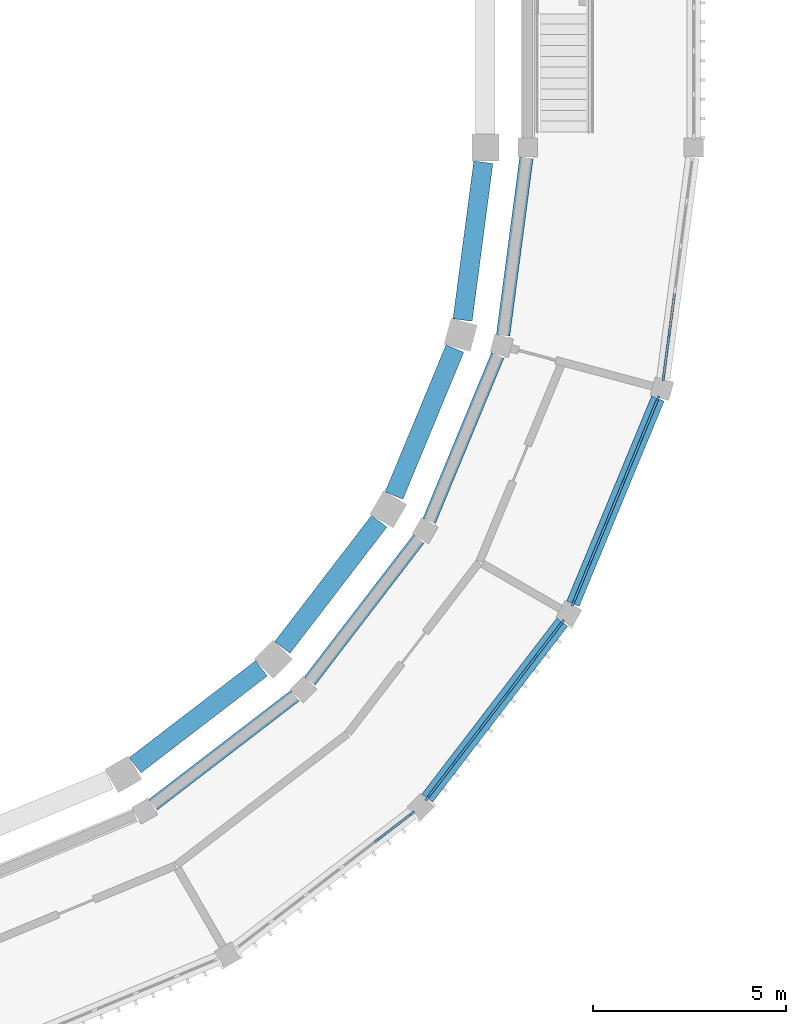
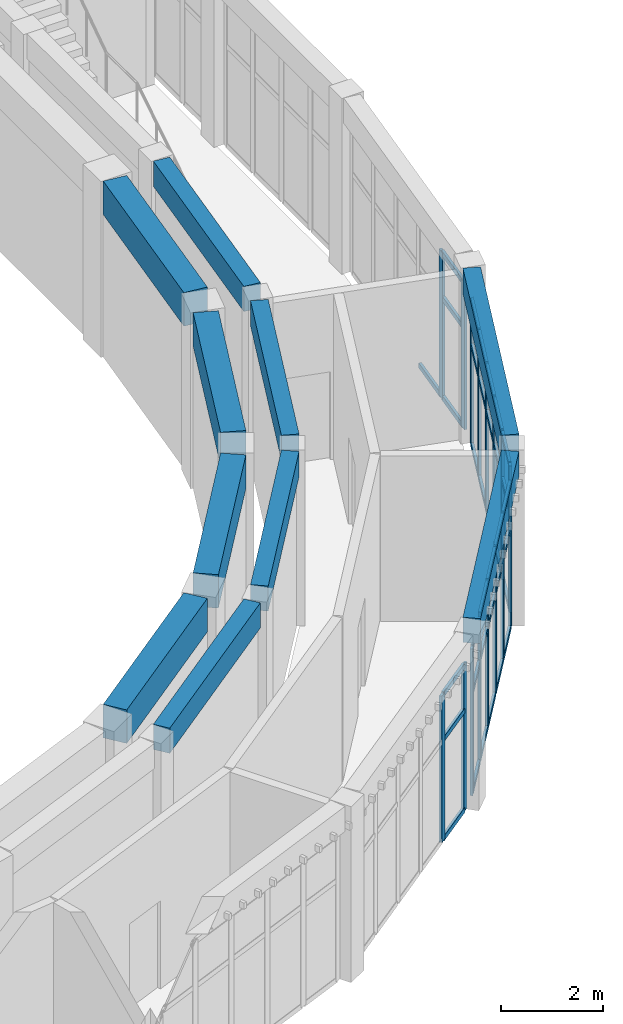
# One storey, part 8 of 99: 53 members, 10 beams, 4 elements without a shape of their own.
"""IFC4 building model written with IfcOpenShell, lengths in metres."""

from ifc_helpers import new_model, si_unit, direction, frame, origin, origin_2d, place, context, subcontext, project, spatial, rectangle, extrude, material, layer, layer_set, material_profile, profile_set, type_object, element, aggregate, save


model = new_model("IFC4")

# Units and contexts
model_context = context("Model", 3, precision=1e-05, world=origin(), true_north=direction((0.0, 1.0)))
body_context = subcontext(model_context, "Body", "Model", "MODEL_VIEW")
ifc_project = project(units=[si_unit("LENGTHUNIT", "METRE"), si_unit("AREAUNIT", "SQUARE_METRE"), si_unit("VOLUMEUNIT", "CUBIC_METRE"), si_unit("PLANEANGLEUNIT", "RADIAN"), si_unit("MASSUNIT", "GRAM", prefix="KILO")], contexts=[model_context])

# Site, building, storey
site_placement = place(None, origin())
site = spatial("IfcSite", under=ifc_project, at=site_placement, CompositionType="ELEMENT")
building_placement = place(site_placement, origin())
building = spatial("IfcBuilding", under=site, at=building_placement, Name="Wasatch Bagh Community Centre", CompositionType="ELEMENT")
storey_placement = place(building_placement, frame((0.0, 0.0, 4.199951171875)))
storey = spatial("IfcBuildingStorey", under=building, at=storey_placement, Name="L01", CompositionType="ELEMENT", Elevation=4.199951171875)

# Curtain wall, members
ifc_material_1 = material(Name="Aluminium curtain wall frame with low-iron insulated glass", Category="aluminium")
ifc_layer = layer(ifc_material_1, 0.14990234375)
ifc_layer_set = layer_set([ifc_layer], Name="Aluminium curtain wall frame with low-iron insulated glass")
curtain_wall_type = type_object("IfcCurtainWallType", Name="Drum curtain wall DR-CW2", PredefinedType="NOTDEFINED", material=ifc_layer_set)
curtain_wall_1_placement = place(storey_placement, origin())
curtain_wall_1 = element("IfcCurtainWall", 1, at=curtain_wall_1_placement, inside=storey, type_object=curtain_wall_type, Name="Curtain wall DR-CW2 9", PredefinedType="NOTDEFINED")
ifc_material_2 = material(Name="Aluminium curtain wall frame", Category="aluminium")
ifc_material_profile_1 = material_profile(ifc_material_2, rectangle(XDim=0.06005859375, YDim=0.159912109375, at=origin_2d()), Name="Drum mullion DR-CW2")
ifc_profile_set_1 = profile_set([ifc_material_profile_1], Name="Aluminium curtain wall frame")
member_type_1 = type_object("IfcMemberType", Name="Drum mullion DR-CW2", PredefinedType="MULLION", material=ifc_profile_set_1)
member_1_placement = place(storey_placement, frame((51.951416015625, 17.059814453125, 0.0), z_axis=(0.0, 0.0, 1.0), x_axis=(-0.608761429133, 0.793353340196, 0.0)))
member_1 = element("IfcMember", 2, at=member_1_placement, type_object=member_type_1, Name="DR-CW2 mullion 5", PredefinedType="MULLION", context=body_context, shape_type="SweptSolid", body=[
    extrude(rectangle(XDim=0.06005859375, YDim=0.159912109375, at=origin_2d()), origin(), (0.0, 0.0, 1.0), 3.5),
])
member_2_placement = place(storey_placement, frame((52.844482421875, 17.745361328125, 0.0), z_axis=(0.0, 0.0, 1.0), x_axis=(-0.608761429133, 0.793353340196, 0.0)))
member_2 = element("IfcMember", 3, at=member_2_placement, type_object=member_type_1, Name="DR-CW2 mullion 6", PredefinedType="MULLION", context=body_context, shape_type="SweptSolid", body=[
    extrude(rectangle(XDim=0.06005859375, YDim=0.159912109375, at=origin_2d()), origin(), (0.0, 0.0, 1.0), 3.5),
])

curtain_wall_2_placement = place(storey_placement, origin())
curtain_wall_2 = element("IfcCurtainWall", 4, at=curtain_wall_2_placement, inside=storey, type_object=curtain_wall_type, Name="Curtain wall DR-CW2 10", PredefinedType="NOTDEFINED")
member_3_placement = place(storey_placement, frame((53.254638671875, 18.155517578125, 0.0), z_axis=(0.0, 0.0, 1.0), x_axis=(-0.793353340196, 0.608761429133, 0.0)))
member_3 = element("IfcMember", 5, at=member_3_placement, type_object=member_type_1, Name="DR-CW2 mullion 1", PredefinedType="MULLION", context=body_context, shape_type="SweptSolid", body=[
    extrude(rectangle(XDim=0.06005859375, YDim=0.159912109375, at=origin_2d()), origin(), (0.0, 0.0, 1.0), 3.5),
])
member_4_placement = place(storey_placement, frame((53.940185546875, 19.048583984375, 0.0), z_axis=(0.0, 0.0, 1.0), x_axis=(-0.793353340196, 0.608761429133, 0.0)))
member_4 = element("IfcMember", 6, at=member_4_placement, type_object=member_type_1, Name="DR-CW2 mullion 2", PredefinedType="MULLION", context=body_context, shape_type="SweptSolid", body=[
    extrude(rectangle(XDim=0.06005859375, YDim=0.159912109375, at=origin_2d()), origin(), (0.0, 0.0, 1.0), 3.5),
])
member_5_placement = place(storey_placement, frame((54.643798828125, 19.965576171875, 0.0), z_axis=(0.0, 0.0, 1.0), x_axis=(-0.793353340196, 0.608761429133, 0.0)))
member_5 = element("IfcMember", 7, at=member_5_placement, type_object=member_type_1, Name="DR-CW2 mullion 3", PredefinedType="MULLION", context=body_context, shape_type="SweptSolid", body=[
    extrude(rectangle(XDim=0.06005859375, YDim=0.159912109375, at=origin_2d()), origin(), (0.0, 0.0, 1.0), 3.5),
])
member_6_placement = place(storey_placement, frame((55.347412109375, 20.8828125, 0.0), z_axis=(0.0, 0.0, 1.0), x_axis=(-0.793353340196, 0.608761429133, 0.0)))
member_6 = element("IfcMember", 8, at=member_6_placement, type_object=member_type_1, Name="DR-CW2 mullion 4", PredefinedType="MULLION", context=body_context, shape_type="SweptSolid", body=[
    extrude(rectangle(XDim=0.06005859375, YDim=0.159912109375, at=origin_2d()), origin(), (0.0, 0.0, 1.0), 3.5),
])
member_7_placement = place(storey_placement, frame((56.051025390625, 21.7998046875, 0.0), z_axis=(0.0, 0.0, 1.0), x_axis=(-0.793353340196, 0.608761429133, 0.0)))
member_7 = element("IfcMember", 9, at=member_7_placement, type_object=member_type_1, Name="DR-CW2 mullion 5", PredefinedType="MULLION", context=body_context, shape_type="SweptSolid", body=[
    extrude(rectangle(XDim=0.06005859375, YDim=0.159912109375, at=origin_2d()), origin(), (0.0, 0.0, 1.0), 3.5),
])
member_8_placement = place(storey_placement, frame((56.736328125, 22.69287109375, 0.0), z_axis=(0.0, 0.0, 1.0), x_axis=(-0.793353340196, 0.608761429133, 0.0)))
member_8 = element("IfcMember", 10, at=member_8_placement, type_object=member_type_1, Name="DR-CW2 mullion 6", PredefinedType="MULLION", context=body_context, shape_type="SweptSolid", body=[
    extrude(rectangle(XDim=0.06005859375, YDim=0.159912109375, at=origin_2d()), origin(), (0.0, 0.0, 1.0), 3.5),
])

curtain_wall_3_placement = place(storey_placement, origin())
curtain_wall_3 = element("IfcCurtainWall", 11, at=curtain_wall_3_placement, inside=storey, type_object=curtain_wall_type, Name="Curtain wall DR-CW2 11", PredefinedType="NOTDEFINED")
member_9_placement = place(storey_placement, frame((57.0263671875, 23.1953125, 0.0), z_axis=(0.0, 0.0, 1.0), x_axis=(-0.923879532451, 0.38268343251, 0.0)))
member_9 = element("IfcMember", 12, at=member_9_placement, type_object=member_type_1, Name="DR-CW2 mullion 1", PredefinedType="MULLION", context=body_context, shape_type="SweptSolid", body=[
    extrude(rectangle(XDim=0.06005859375, YDim=0.159912109375, at=origin_2d()), origin(), (0.0, 0.0, 1.0), 3.5),
])
member_10_placement = place(storey_placement, frame((57.457275390625, 24.2353515625, 0.0), z_axis=(0.0, 0.0, 1.0), x_axis=(-0.923879532451, 0.38268343251, 0.0)))
member_10 = element("IfcMember", 13, at=member_10_placement, type_object=member_type_1, Name="DR-CW2 mullion 2", PredefinedType="MULLION", context=body_context, shape_type="SweptSolid", body=[
    extrude(rectangle(XDim=0.06005859375, YDim=0.159912109375, at=origin_2d()), origin(), (0.0, 0.0, 1.0), 3.5),
])
member_11_placement = place(storey_placement, frame((57.899658203125, 25.30322265625, 0.0), z_axis=(0.0, 0.0, 1.0), x_axis=(-0.923879532451, 0.38268343251, 0.0)))
member_11 = element("IfcMember", 14, at=member_11_placement, type_object=member_type_1, Name="DR-CW2 mullion 3", PredefinedType="MULLION", context=body_context, shape_type="SweptSolid", body=[
    extrude(rectangle(XDim=0.06005859375, YDim=0.159912109375, at=origin_2d()), origin(), (0.0, 0.0, 1.0), 3.5),
])
member_12_placement = place(storey_placement, frame((58.342041015625, 26.37109375, 0.0), z_axis=(0.0, 0.0, 1.0), x_axis=(-0.923879532451, 0.38268343251, 0.0)))
member_12 = element("IfcMember", 15, at=member_12_placement, type_object=member_type_1, Name="DR-CW2 mullion 4", PredefinedType="MULLION", context=body_context, shape_type="SweptSolid", body=[
    extrude(rectangle(XDim=0.06005859375, YDim=0.159912109375, at=origin_2d()), origin(), (0.0, 0.0, 1.0), 3.5),
])
member_13_placement = place(storey_placement, frame((58.784423828125, 27.439208984375, 0.0), z_axis=(0.0, 0.0, 1.0), x_axis=(-0.923879532451, 0.38268343251, 0.0)))
member_13 = element("IfcMember", 16, at=member_13_placement, type_object=member_type_1, Name="DR-CW2 mullion 5", PredefinedType="MULLION", context=body_context, shape_type="SweptSolid", body=[
    extrude(rectangle(XDim=0.06005859375, YDim=0.159912109375, at=origin_2d()), origin(), (0.0, 0.0, 1.0), 3.5),
])
member_14_placement = place(storey_placement, frame((59.215087890625, 28.479248046875, 0.0), z_axis=(0.0, 0.0, 1.0), x_axis=(-0.923879532451, 0.38268343251, 0.0)))
member_14 = element("IfcMember", 17, at=member_14_placement, type_object=member_type_1, Name="DR-CW2 mullion 6", PredefinedType="MULLION", context=body_context, shape_type="SweptSolid", body=[
    extrude(rectangle(XDim=0.06005859375, YDim=0.159912109375, at=origin_2d()), origin(), (0.0, 0.0, 1.0), 3.5),
])

curtain_wall_4_placement = place(storey_placement, origin())
curtain_wall_4 = element("IfcCurtainWall", 18, at=curtain_wall_4_placement, inside=storey, type_object=curtain_wall_type, Name="Curtain wall DR-CW2 12", PredefinedType="NOTDEFINED")
member_15_placement = place(storey_placement, frame((59.365234375, 29.03955078125, 0.0), z_axis=(0.0, 0.0, 1.0), x_axis=(-0.991444861378, 0.130526192185, 0.0)))
member_15 = element("IfcMember", 19, at=member_15_placement, type_object=member_type_1, Name="DR-CW2 mullion 1", PredefinedType="MULLION", context=body_context, shape_type="SweptSolid", body=[
    extrude(rectangle(XDim=0.06005859375, YDim=0.159912109375, at=origin_2d()), origin(), (0.0, 0.0, 1.0), 3.5),
])
member_16_placement = place(storey_placement, frame((59.51220703125, 30.15576171875, 0.0), z_axis=(0.0, 0.0, 1.0), x_axis=(-0.991444861378, 0.130526192185, 0.0)))
member_16 = element("IfcMember", 20, at=member_16_placement, type_object=member_type_1, Name="DR-CW2 mullion 2", PredefinedType="MULLION", context=body_context, shape_type="SweptSolid", body=[
    extrude(rectangle(XDim=0.06005859375, YDim=0.159912109375, at=origin_2d()), origin(), (0.0, 0.0, 1.0), 3.5),
])

# Beams
ifc_material_3 = material(Name="Concrete C35", Category="concrete")
ifc_material_profile_2 = material_profile(ifc_material_3, rectangle(XDim=0.35009765625, YDim=0.60009765625, at=origin_2d()), Name="RC 350x600")
ifc_profile_set_2 = profile_set([ifc_material_profile_2], Name="Concrete C35")
beam_type_1 = type_object("IfcBeamType", Name="Drum ring beam RC 350x600", PredefinedType="BEAM", material=ifc_profile_set_2)
for number, where, z_axis, x_axis, name in (
    (21, (46.143798828125, 17.977294921875, 3.900146484375), (0.793352555691, 0.608762451519, 0.0), (-0.608762451519, 0.793352555691, 0.0), "Ring beam 8.4 DI-S8-DI-S9"),
    (22, (50.203857421875, 21.1826171875, 3.900146484375), (0.608762451519, 0.793352555691, 0.0), (-0.793352555691, 0.608762451519, 0.0), "Ring beam 8.4 DI-S9-DI-S10"),
):
    element("IfcBeam", number, at=place(storey_placement, frame(where, z_axis=z_axis, x_axis=x_axis)), inside=storey, type_object=beam_type_1, Name=name, PredefinedType="BEAM", context=body_context, shape_type="SweptSolid", body=[
        extrude(rectangle(XDim=0.35009765625, YDim=0.60009765625, at=origin_2d()), origin(), (0.0, 0.0, 1.0), 4.63037109375),
    ])
beam_1_placement = place(storey_placement, frame((53.296142578125, 25.32958984375, 3.900146484375), z_axis=(0.382671540178, 0.923884458327, 0.0), x_axis=(-0.923884458327, 0.382671540178, 0.0)))
element("IfcBeam", 23, at=beam_1_placement, inside=storey, type_object=beam_type_1, Name="Ring beam 8.4 DI-S10-DI-S11", PredefinedType="BEAM", context=body_context, shape_type="SweptSolid", body=[
    extrude(rectangle(XDim=0.35009765625, YDim=0.60009765625, at=origin_2d()), origin(), (0.0, 0.0, 1.0), 4.630615234375),
])
beam_2_placement = place(storey_placement, frame((55.209716796875, 30.1357421875, 3.900146484375), z_axis=(0.130495429401, 0.99144891089, 0.0), x_axis=(-0.99144891089, 0.130495429401, 0.0)))
element("IfcBeam", 24, at=beam_2_placement, inside=storey, type_object=beam_type_1, Name="Ring beam 8.4 DI-S11-DI-E1", PredefinedType="BEAM", context=body_context, shape_type="SweptSolid", body=[
    extrude(rectangle(XDim=0.35009765625, YDim=0.60009765625, at=origin_2d()), origin(), (0.0, 0.0, 1.0), 4.63037109375),
])
beam_3_placement = place(storey_placement, frame((53.244384765625, 18.14208984375, 3.900146484375), z_axis=(0.608756673514, 0.793356989288, 0.0), x_axis=(-0.793356989288, 0.608756673514, 0.0)))
element("IfcBeam", 25, at=beam_3_placement, inside=storey, type_object=beam_type_1, Name="Ring beam 8.4 DO-S9-DO-S10", PredefinedType="BEAM", context=body_context, shape_type="SweptSolid", body=[
    extrude(rectangle(XDim=0.35009765625, YDim=0.60009765625, at=origin_2d()), origin(), (0.0, 0.0, 1.0), 5.7529296875),
])
beam_4_placement = place(storey_placement, frame((57.02001953125, 23.1796875, 3.900146484375), z_axis=(0.38268910224, 0.923877183952, 0.0), x_axis=(-0.923877183952, 0.38268910224, 0.0)))
element("IfcBeam", 26, at=beam_4_placement, inside=storey, type_object=beam_type_1, Name="Ring beam 8.4 DO-S10-DO-S11", PredefinedType="BEAM", context=body_context, shape_type="SweptSolid", body=[
    extrude(rectangle(XDim=0.35009765625, YDim=0.60009765625, at=origin_2d()), origin(), (0.0, 0.0, 1.0), 5.753173828125),
])

# Member
ifc_material_profile_3 = material_profile(ifc_material_2, rectangle(XDim=0.06005859375, YDim=0.1201171875, at=origin_2d()), Name="Drum transom DR-CW2")
ifc_profile_set_3 = profile_set([ifc_material_profile_3], Name="Aluminium curtain wall frame")
member_type_2 = type_object("IfcMemberType", Name="Drum transom DR-CW2", PredefinedType="USERDEFINED", material=ifc_profile_set_3)
member_17_placement = place(storey_placement, frame((51.97509765625, 17.078125, 0.030029296875), z_axis=(0.793355628453, 0.608758447006, 0.0), x_axis=(-0.608758447006, 0.793355628453, 0.0)))
member_17 = element("IfcMember", 27, at=member_17_placement, type_object=member_type_2, Name="DR-CW2 transom 5.1", ObjectType="TRANSOM", PredefinedType="USERDEFINED", context=body_context, shape_type="SweptSolid", body=[
    extrude(rectangle(XDim=0.06005859375, YDim=0.1201171875, at=origin_2d()), origin(), (0.0, 0.0, 1.0), 1.06591796875),
])

member_18_placement = place(storey_placement, frame((51.97509765625, 17.078125, 2.400146484375), z_axis=(0.793355628453, 0.608758447006, 0.0), x_axis=(-0.608758447006, 0.793355628453, 0.0)))
member_18 = element("IfcMember", 28, at=member_18_placement, type_object=member_type_2, Name="DR-CW2 transom 5.2", ObjectType="TRANSOM", PredefinedType="USERDEFINED", context=body_context, shape_type="SweptSolid", body=[
    extrude(rectangle(XDim=0.06005859375, YDim=0.1201171875, at=origin_2d()), origin(), (0.0, 0.0, 1.0), 1.06591796875),
])

member_19_placement = place(storey_placement, frame((51.97509765625, 17.078125, 3.469970703125), z_axis=(0.793355628453, 0.608758447006, 0.0), x_axis=(-0.608758447006, 0.793355628453, 0.0)))
member_19 = element("IfcMember", 29, at=member_19_placement, type_object=member_type_2, Name="DR-CW2 transom 5.3", ObjectType="TRANSOM", PredefinedType="USERDEFINED", context=body_context, shape_type="SweptSolid", body=[
    extrude(rectangle(XDim=0.06005859375, YDim=0.1201171875, at=origin_2d()), origin(), (0.0, 0.0, 1.0), 1.06591796875),
])

aggregate(curtain_wall_1, [member_1, member_2, member_17, member_18, member_19])

member_20_placement = place(storey_placement, frame((53.27294921875, 18.17919921875, 0.030029296875), z_axis=(0.608758447006, 0.793355628453, 0.0), x_axis=(-0.793355628453, 0.608758447006, 0.0)))
member_20 = element("IfcMember", 30, at=member_20_placement, type_object=member_type_2, Name="DR-CW2 transom 1.1", ObjectType="TRANSOM", PredefinedType="USERDEFINED", context=body_context, shape_type="SweptSolid", body=[
    extrude(rectangle(XDim=0.06005859375, YDim=0.1201171875, at=origin_2d()), origin(), (0.0, 0.0, 1.0), 1.06591796875),
])

member_21_placement = place(storey_placement, frame((53.27294921875, 18.17919921875, 2.400146484375), z_axis=(0.608758447006, 0.793355628453, 0.0), x_axis=(-0.793355628453, 0.608758447006, 0.0)))
member_21 = element("IfcMember", 31, at=member_21_placement, type_object=member_type_2, Name="DR-CW2 transom 1.2", ObjectType="TRANSOM", PredefinedType="USERDEFINED", context=body_context, shape_type="SweptSolid", body=[
    extrude(rectangle(XDim=0.06005859375, YDim=0.1201171875, at=origin_2d()), origin(), (0.0, 0.0, 1.0), 1.06591796875),
])

member_22_placement = place(storey_placement, frame((53.27294921875, 18.17919921875, 3.469970703125), z_axis=(0.608758447006, 0.793355628453, 0.0), x_axis=(-0.793355628453, 0.608758447006, 0.0)))
member_22 = element("IfcMember", 32, at=member_22_placement, type_object=member_type_2, Name="DR-CW2 transom 1.3", ObjectType="TRANSOM", PredefinedType="USERDEFINED", context=body_context, shape_type="SweptSolid", body=[
    extrude(rectangle(XDim=0.06005859375, YDim=0.1201171875, at=origin_2d()), origin(), (0.0, 0.0, 1.0), 1.06591796875),
])

member_23_placement = place(storey_placement, frame((53.958251953125, 19.072509765625, 0.030029296875), z_axis=(0.608838347721, 0.793294312563, 0.0), x_axis=(-0.793294312563, 0.608838347721, 0.0)))
member_23 = element("IfcMember", 33, at=member_23_placement, type_object=member_type_2, Name="DR-CW2 transom 2.1", ObjectType="TRANSOM", PredefinedType="USERDEFINED", context=body_context, shape_type="SweptSolid", body=[
    extrude(rectangle(XDim=0.06005859375, YDim=0.1201171875, at=origin_2d()), origin(), (0.0, 0.0, 1.0), 1.095947265625),
])

member_24_placement = place(storey_placement, frame((53.958251953125, 19.072509765625, 2.400146484375), z_axis=(0.608838347721, 0.793294312563, 0.0), x_axis=(-0.793294312563, 0.608838347721, 0.0)))
member_24 = element("IfcMember", 34, at=member_24_placement, type_object=member_type_2, Name="DR-CW2 transom 2.2", ObjectType="TRANSOM", PredefinedType="USERDEFINED", context=body_context, shape_type="SweptSolid", body=[
    extrude(rectangle(XDim=0.06005859375, YDim=0.1201171875, at=origin_2d()), origin(), (0.0, 0.0, 1.0), 1.095947265625),
])

member_25_placement = place(storey_placement, frame((53.958251953125, 19.072509765625, 3.469970703125), z_axis=(0.608838347721, 0.793294312563, 0.0), x_axis=(-0.793294312563, 0.608838347721, 0.0)))
member_25 = element("IfcMember", 35, at=member_25_placement, type_object=member_type_2, Name="DR-CW2 transom 2.3", ObjectType="TRANSOM", PredefinedType="USERDEFINED", context=body_context, shape_type="SweptSolid", body=[
    extrude(rectangle(XDim=0.06005859375, YDim=0.1201171875, at=origin_2d()), origin(), (0.0, 0.0, 1.0), 1.095947265625),
])

member_26_placement = place(storey_placement, frame((54.662109375, 19.989501953125, 0.030029296875), z_axis=(0.608698124672, 0.793401911405, 0.0), x_axis=(-0.793401911405, 0.608698124672, 0.0)))
member_26 = element("IfcMember", 36, at=member_26_placement, type_object=member_type_2, Name="DR-CW2 transom 3.1", ObjectType="TRANSOM", PredefinedType="USERDEFINED", context=body_context, shape_type="SweptSolid", body=[
    extrude(rectangle(XDim=0.06005859375, YDim=0.1201171875, at=origin_2d()), origin(), (0.0, 0.0, 1.0), 1.095703125),
])

member_27_placement = place(storey_placement, frame((54.662109375, 19.989501953125, 2.400146484375), z_axis=(0.608698124672, 0.793401911405, 0.0), x_axis=(-0.793401911405, 0.608698124672, 0.0)))
member_27 = element("IfcMember", 37, at=member_27_placement, type_object=member_type_2, Name="DR-CW2 transom 3.2", ObjectType="TRANSOM", PredefinedType="USERDEFINED", context=body_context, shape_type="SweptSolid", body=[
    extrude(rectangle(XDim=0.06005859375, YDim=0.1201171875, at=origin_2d()), origin(), (0.0, 0.0, 1.0), 1.095703125),
])

member_28_placement = place(storey_placement, frame((54.662109375, 19.989501953125, 3.469970703125), z_axis=(0.608698124672, 0.793401911405, 0.0), x_axis=(-0.793401911405, 0.608698124672, 0.0)))
member_28 = element("IfcMember", 38, at=member_28_placement, type_object=member_type_2, Name="DR-CW2 transom 3.3", ObjectType="TRANSOM", PredefinedType="USERDEFINED", context=body_context, shape_type="SweptSolid", body=[
    extrude(rectangle(XDim=0.06005859375, YDim=0.1201171875, at=origin_2d()), origin(), (0.0, 0.0, 1.0), 1.095703125),
])

member_29_placement = place(storey_placement, frame((55.36572265625, 20.906494140625, 0.030029296875), z_axis=(0.608698124672, 0.793401911405, 0.0), x_axis=(-0.793401911405, 0.608698124672, 0.0)))
member_29 = element("IfcMember", 39, at=member_29_placement, type_object=member_type_2, Name="DR-CW2 transom 4.1", ObjectType="TRANSOM", PredefinedType="USERDEFINED", context=body_context, shape_type="SweptSolid", body=[
    extrude(rectangle(XDim=0.06005859375, YDim=0.1201171875, at=origin_2d()), origin(), (0.0, 0.0, 1.0), 1.095703125),
])

member_30_placement = place(storey_placement, frame((55.36572265625, 20.906494140625, 2.400146484375), z_axis=(0.608698124672, 0.793401911405, 0.0), x_axis=(-0.793401911405, 0.608698124672, 0.0)))
member_30 = element("IfcMember", 40, at=member_30_placement, type_object=member_type_2, Name="DR-CW2 transom 4.2", ObjectType="TRANSOM", PredefinedType="USERDEFINED", context=body_context, shape_type="SweptSolid", body=[
    extrude(rectangle(XDim=0.06005859375, YDim=0.1201171875, at=origin_2d()), origin(), (0.0, 0.0, 1.0), 1.095703125),
])

member_31_placement = place(storey_placement, frame((55.36572265625, 20.906494140625, 3.469970703125), z_axis=(0.608698124672, 0.793401911405, 0.0), x_axis=(-0.793401911405, 0.608698124672, 0.0)))
member_31 = element("IfcMember", 41, at=member_31_placement, type_object=member_type_2, Name="DR-CW2 transom 4.3", ObjectType="TRANSOM", PredefinedType="USERDEFINED", context=body_context, shape_type="SweptSolid", body=[
    extrude(rectangle(XDim=0.06005859375, YDim=0.1201171875, at=origin_2d()), origin(), (0.0, 0.0, 1.0), 1.095703125),
])

member_32_placement = place(storey_placement, frame((56.0693359375, 21.823486328125, 0.030029296875), z_axis=(0.608758447006, 0.793355628453, 0.0), x_axis=(-0.793355628453, 0.608758447006, 0.0)))
member_32 = element("IfcMember", 42, at=member_32_placement, type_object=member_type_2, Name="DR-CW2 transom 5.1", ObjectType="TRANSOM", PredefinedType="USERDEFINED", context=body_context, shape_type="SweptSolid", body=[
    extrude(rectangle(XDim=0.06005859375, YDim=0.1201171875, at=origin_2d()), origin(), (0.0, 0.0, 1.0), 1.06591796875),
])

member_33_placement = place(storey_placement, frame((56.0693359375, 21.823486328125, 2.400146484375), z_axis=(0.608758447006, 0.793355628453, 0.0), x_axis=(-0.793355628453, 0.608758447006, 0.0)))
member_33 = element("IfcMember", 43, at=member_33_placement, type_object=member_type_2, Name="DR-CW2 transom 5.2", ObjectType="TRANSOM", PredefinedType="USERDEFINED", context=body_context, shape_type="SweptSolid", body=[
    extrude(rectangle(XDim=0.06005859375, YDim=0.1201171875, at=origin_2d()), origin(), (0.0, 0.0, 1.0), 1.06591796875),
])

member_34_placement = place(storey_placement, frame((56.0693359375, 21.823486328125, 3.469970703125), z_axis=(0.608758447006, 0.793355628453, 0.0), x_axis=(-0.793355628453, 0.608758447006, 0.0)))
member_34 = element("IfcMember", 44, at=member_34_placement, type_object=member_type_2, Name="DR-CW2 transom 5.3", ObjectType="TRANSOM", PredefinedType="USERDEFINED", context=body_context, shape_type="SweptSolid", body=[
    extrude(rectangle(XDim=0.06005859375, YDim=0.1201171875, at=origin_2d()), origin(), (0.0, 0.0, 1.0), 1.06591796875),
])

aggregate(curtain_wall_2, [member_3, member_4, member_5, member_6, member_7, member_8, member_20, member_21, member_22, member_23, member_24, member_25, member_26, member_27, member_28, member_29, member_30, member_31, member_32, member_33, member_34])

member_35_placement = place(storey_placement, frame((57.037841796875, 23.222900390625, 0.030029296875), z_axis=(0.38269564791, 0.923874472572, 0.0), x_axis=(-0.923874472572, 0.38269564791, 0.0)))
member_35 = element("IfcMember", 45, at=member_35_placement, type_object=member_type_2, Name="DR-CW2 transom 1.1", ObjectType="TRANSOM", PredefinedType="USERDEFINED", context=body_context, shape_type="SweptSolid", body=[
    extrude(rectangle(XDim=0.06005859375, YDim=0.1201171875, at=origin_2d()), origin(), (0.0, 0.0, 1.0), 1.06591796875),
])

member_36_placement = place(storey_placement, frame((57.037841796875, 23.222900390625, 2.400146484375), z_axis=(0.38269564791, 0.923874472572, 0.0), x_axis=(-0.923874472572, 0.38269564791, 0.0)))
member_36 = element("IfcMember", 46, at=member_36_placement, type_object=member_type_2, Name="DR-CW2 transom 1.2", ObjectType="TRANSOM", PredefinedType="USERDEFINED", context=body_context, shape_type="SweptSolid", body=[
    extrude(rectangle(XDim=0.06005859375, YDim=0.1201171875, at=origin_2d()), origin(), (0.0, 0.0, 1.0), 1.06591796875),
])

member_37_placement = place(storey_placement, frame((57.037841796875, 23.222900390625, 3.469970703125), z_axis=(0.38269564791, 0.923874472572, 0.0), x_axis=(-0.923874472572, 0.38269564791, 0.0)))
member_37 = element("IfcMember", 47, at=member_37_placement, type_object=member_type_2, Name="DR-CW2 transom 1.3", ObjectType="TRANSOM", PredefinedType="USERDEFINED", context=body_context, shape_type="SweptSolid", body=[
    extrude(rectangle(XDim=0.06005859375, YDim=0.1201171875, at=origin_2d()), origin(), (0.0, 0.0, 1.0), 1.06591796875),
])

member_38_placement = place(storey_placement, frame((57.46875, 24.26318359375, 0.030029296875), z_axis=(0.382732178779, 0.923859339579, 0.0), x_axis=(-0.923859339579, 0.382732178779, 0.0)))
member_38 = element("IfcMember", 48, at=member_38_placement, type_object=member_type_2, Name="DR-CW2 transom 2.1", ObjectType="TRANSOM", PredefinedType="USERDEFINED", context=body_context, shape_type="SweptSolid", body=[
    extrude(rectangle(XDim=0.06005859375, YDim=0.1201171875, at=origin_2d()), origin(), (0.0, 0.0, 1.0), 1.095947265625),
])

member_39_placement = place(storey_placement, frame((57.46875, 24.26318359375, 2.400146484375), z_axis=(0.382732178779, 0.923859339579, 0.0), x_axis=(-0.923859339579, 0.382732178779, 0.0)))
member_39 = element("IfcMember", 49, at=member_39_placement, type_object=member_type_2, Name="DR-CW2 transom 2.2", ObjectType="TRANSOM", PredefinedType="USERDEFINED", context=body_context, shape_type="SweptSolid", body=[
    extrude(rectangle(XDim=0.06005859375, YDim=0.1201171875, at=origin_2d()), origin(), (0.0, 0.0, 1.0), 1.095947265625),
])

member_40_placement = place(storey_placement, frame((57.46875, 24.26318359375, 3.469970703125), z_axis=(0.382732178779, 0.923859339579, 0.0), x_axis=(-0.923859339579, 0.382732178779, 0.0)))
member_40 = element("IfcMember", 50, at=member_40_placement, type_object=member_type_2, Name="DR-CW2 transom 2.3", ObjectType="TRANSOM", PredefinedType="USERDEFINED", context=body_context, shape_type="SweptSolid", body=[
    extrude(rectangle(XDim=0.06005859375, YDim=0.1201171875, at=origin_2d()), origin(), (0.0, 0.0, 1.0), 1.095947265625),
])

member_41_placement = place(storey_placement, frame((57.9111328125, 25.3310546875, 0.030029296875), z_axis=(0.382732178779, 0.923859339579, 0.0), x_axis=(-0.923859339579, 0.382732178779, 0.0)))
member_41 = element("IfcMember", 51, at=member_41_placement, type_object=member_type_2, Name="DR-CW2 transom 3.1", ObjectType="TRANSOM", PredefinedType="USERDEFINED", context=body_context, shape_type="SweptSolid", body=[
    extrude(rectangle(XDim=0.06005859375, YDim=0.1201171875, at=origin_2d()), origin(), (0.0, 0.0, 1.0), 1.095947265625),
])

member_42_placement = place(storey_placement, frame((57.9111328125, 25.3310546875, 2.400146484375), z_axis=(0.382732178779, 0.923859339579, 0.0), x_axis=(-0.923859339579, 0.382732178779, 0.0)))
member_42 = element("IfcMember", 52, at=member_42_placement, type_object=member_type_2, Name="DR-CW2 transom 3.2", ObjectType="TRANSOM", PredefinedType="USERDEFINED", context=body_context, shape_type="SweptSolid", body=[
    extrude(rectangle(XDim=0.06005859375, YDim=0.1201171875, at=origin_2d()), origin(), (0.0, 0.0, 1.0), 1.095947265625),
])

member_43_placement = place(storey_placement, frame((57.9111328125, 25.3310546875, 3.469970703125), z_axis=(0.382732178779, 0.923859339579, 0.0), x_axis=(-0.923859339579, 0.382732178779, 0.0)))
member_43 = element("IfcMember", 53, at=member_43_placement, type_object=member_type_2, Name="DR-CW2 transom 3.3", ObjectType="TRANSOM", PredefinedType="USERDEFINED", context=body_context, shape_type="SweptSolid", body=[
    extrude(rectangle(XDim=0.06005859375, YDim=0.1201171875, at=origin_2d()), origin(), (0.0, 0.0, 1.0), 1.095947265625),
])

member_44_placement = place(storey_placement, frame((58.353515625, 26.39892578125, 0.030029296875), z_axis=(0.382732178779, 0.923859339579, 0.0), x_axis=(-0.923859339579, 0.382732178779, 0.0)))
member_44 = element("IfcMember", 54, at=member_44_placement, type_object=member_type_2, Name="DR-CW2 transom 4.1", ObjectType="TRANSOM", PredefinedType="USERDEFINED", context=body_context, shape_type="SweptSolid", body=[
    extrude(rectangle(XDim=0.06005859375, YDim=0.1201171875, at=origin_2d()), origin(), (0.0, 0.0, 1.0), 1.095947265625),
])

member_45_placement = place(storey_placement, frame((58.353515625, 26.39892578125, 2.400146484375), z_axis=(0.382732178779, 0.923859339579, 0.0), x_axis=(-0.923859339579, 0.382732178779, 0.0)))
member_45 = element("IfcMember", 55, at=member_45_placement, type_object=member_type_2, Name="DR-CW2 transom 4.2", ObjectType="TRANSOM", PredefinedType="USERDEFINED", context=body_context, shape_type="SweptSolid", body=[
    extrude(rectangle(XDim=0.06005859375, YDim=0.1201171875, at=origin_2d()), origin(), (0.0, 0.0, 1.0), 1.095947265625),
])

member_46_placement = place(storey_placement, frame((58.353515625, 26.39892578125, 3.469970703125), z_axis=(0.382732178779, 0.923859339579, 0.0), x_axis=(-0.923859339579, 0.382732178779, 0.0)))
member_46 = element("IfcMember", 56, at=member_46_placement, type_object=member_type_2, Name="DR-CW2 transom 4.3", ObjectType="TRANSOM", PredefinedType="USERDEFINED", context=body_context, shape_type="SweptSolid", body=[
    extrude(rectangle(XDim=0.06005859375, YDim=0.1201171875, at=origin_2d()), origin(), (0.0, 0.0, 1.0), 1.095947265625),
])

member_47_placement = place(storey_placement, frame((58.7958984375, 27.466796875, 0.030029296875), z_axis=(0.382500141907, 0.923955432606, 0.0), x_axis=(-0.923955432606, 0.382500141907, 0.0)))
member_47 = element("IfcMember", 57, at=member_47_placement, type_object=member_type_2, Name="DR-CW2 transom 5.1", ObjectType="TRANSOM", PredefinedType="USERDEFINED", context=body_context, shape_type="SweptSolid", body=[
    extrude(rectangle(XDim=0.06005859375, YDim=0.1201171875, at=origin_2d()), origin(), (0.0, 0.0, 1.0), 1.06591796875),
])

member_48_placement = place(storey_placement, frame((58.7958984375, 27.466796875, 2.400146484375), z_axis=(0.382500141907, 0.923955432606, 0.0), x_axis=(-0.923955432606, 0.382500141907, 0.0)))
member_48 = element("IfcMember", 58, at=member_48_placement, type_object=member_type_2, Name="DR-CW2 transom 5.2", ObjectType="TRANSOM", PredefinedType="USERDEFINED", context=body_context, shape_type="SweptSolid", body=[
    extrude(rectangle(XDim=0.06005859375, YDim=0.1201171875, at=origin_2d()), origin(), (0.0, 0.0, 1.0), 1.06591796875),
])

member_49_placement = place(storey_placement, frame((58.7958984375, 27.466796875, 3.469970703125), z_axis=(0.382500141907, 0.923955432606, 0.0), x_axis=(-0.923955432606, 0.382500141907, 0.0)))
member_49 = element("IfcMember", 59, at=member_49_placement, type_object=member_type_2, Name="DR-CW2 transom 5.3", ObjectType="TRANSOM", PredefinedType="USERDEFINED", context=body_context, shape_type="SweptSolid", body=[
    extrude(rectangle(XDim=0.06005859375, YDim=0.1201171875, at=origin_2d()), origin(), (0.0, 0.0, 1.0), 1.06591796875),
])

aggregate(curtain_wall_3, [member_9, member_10, member_11, member_12, member_13, member_14, member_35, member_36, member_37, member_38, member_39, member_40, member_41, member_42, member_43, member_44, member_45, member_46, member_47, member_48, member_49])

member_50_placement = place(storey_placement, frame((59.369140625, 29.0693359375, 0.030029296875), z_axis=(0.130573025845, 0.991438694485, 0.0), x_axis=(-0.991438694485, 0.130573025845, 0.0)))
member_50 = element("IfcMember", 60, at=member_50_placement, type_object=member_type_2, Name="DR-CW2 transom 1.1", ObjectType="TRANSOM", PredefinedType="USERDEFINED", context=body_context, shape_type="SweptSolid", body=[
    extrude(rectangle(XDim=0.06005859375, YDim=0.1201171875, at=origin_2d()), origin(), (0.0, 0.0, 1.0), 1.065673828125),
])

member_51_placement = place(storey_placement, frame((59.369140625, 29.0693359375, 2.400146484375), z_axis=(0.130573025845, 0.991438694485, 0.0), x_axis=(-0.991438694485, 0.130573025845, 0.0)))
member_51 = element("IfcMember", 61, at=member_51_placement, type_object=member_type_2, Name="DR-CW2 transom 1.2", ObjectType="TRANSOM", PredefinedType="USERDEFINED", context=body_context, shape_type="SweptSolid", body=[
    extrude(rectangle(XDim=0.06005859375, YDim=0.1201171875, at=origin_2d()), origin(), (0.0, 0.0, 1.0), 1.065673828125),
])

member_52_placement = place(storey_placement, frame((59.369140625, 29.0693359375, 3.469970703125), z_axis=(0.130573025845, 0.991438694485, 0.0), x_axis=(-0.991438694485, 0.130573025845, 0.0)))
member_52 = element("IfcMember", 62, at=member_52_placement, type_object=member_type_2, Name="DR-CW2 transom 1.3", ObjectType="TRANSOM", PredefinedType="USERDEFINED", context=body_context, shape_type="SweptSolid", body=[
    extrude(rectangle(XDim=0.06005859375, YDim=0.1201171875, at=origin_2d()), origin(), (0.0, 0.0, 1.0), 1.065673828125),
])

member_53_placement = place(storey_placement, frame((59.51611328125, 30.185546875, 0.030029296875), z_axis=(0.130558250608, 0.99144064028, 0.0), x_axis=(-0.99144064028, 0.130558250608, 0.0)))
member_53 = element("IfcMember", 63, at=member_53_placement, type_object=member_type_2, Name="DR-CW2 transom 2.1", ObjectType="TRANSOM", PredefinedType="USERDEFINED", context=body_context, shape_type="SweptSolid", body=[
    extrude(rectangle(XDim=0.06005859375, YDim=0.1201171875, at=origin_2d()), origin(), (0.0, 0.0, 1.0), 1.095703125),
])

aggregate(curtain_wall_4, [member_15, member_16, member_50, member_51, member_52, member_53])

# Beams
ifc_material_profile_4 = material_profile(ifc_material_3, rectangle(XDim=0.5, YDim=0.800048828125, at=origin_2d()), Name="RC 500x800")
ifc_profile_set_4 = profile_set([ifc_material_profile_4], Name="Concrete C35")
beam_type_2 = type_object("IfcBeamType", Name="MH ring beam RC 500x800", PredefinedType="BEAM", material=ifc_profile_set_4)
for number, where, z_axis, x_axis, name in (
    (64, (45.681640625, 18.997314453125, 3.800048828125), (0.793341258985, 0.60877717335, 0.0), (-0.60877717335, 0.793341258985, 0.0), "Ring beam 8.4 S8-S9"),
    (65, (49.493408203125, 22.04833984375, 3.800048828125), (0.60877717335, 0.793341258985, 0.0), (-0.793341258985, 0.60877717335, 0.0), "Ring beam 8.4 S9-S10"),
    (66, (52.3857421875, 25.98193359375, 3.800048828125), (0.382688328955, 0.923877504262, 0.0), (-0.923877504262, 0.382688328955, 0.0), "Ring beam 8.4 S10-S11"),
    (67, (54.16162109375, 30.5302734375, 3.800048828125), (0.130483623501, 0.991450464722, 0.0), (-0.991450464722, 0.130483623501, 0.0), "Ring beam 8.4 S11-E1"),
):
    element("IfcBeam", number, at=place(storey_placement, frame(where, z_axis=z_axis, x_axis=x_axis)), inside=storey, type_object=beam_type_2, Name=name, PredefinedType="BEAM", context=body_context, shape_type="SweptSolid", body=[
        extrude(rectangle(XDim=0.5, YDim=0.800048828125, at=origin_2d()), origin(), (0.0, 0.0, 1.0), 4.121826171875),
    ])

save(model, "model.ifc")
